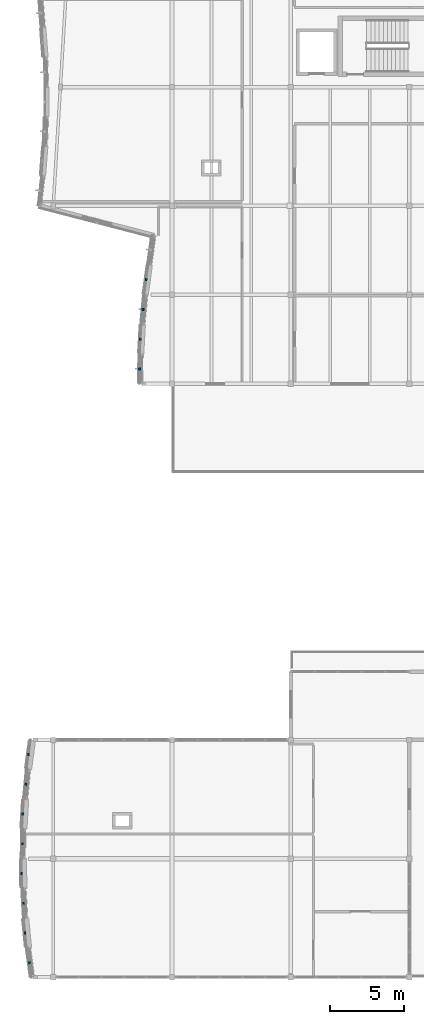
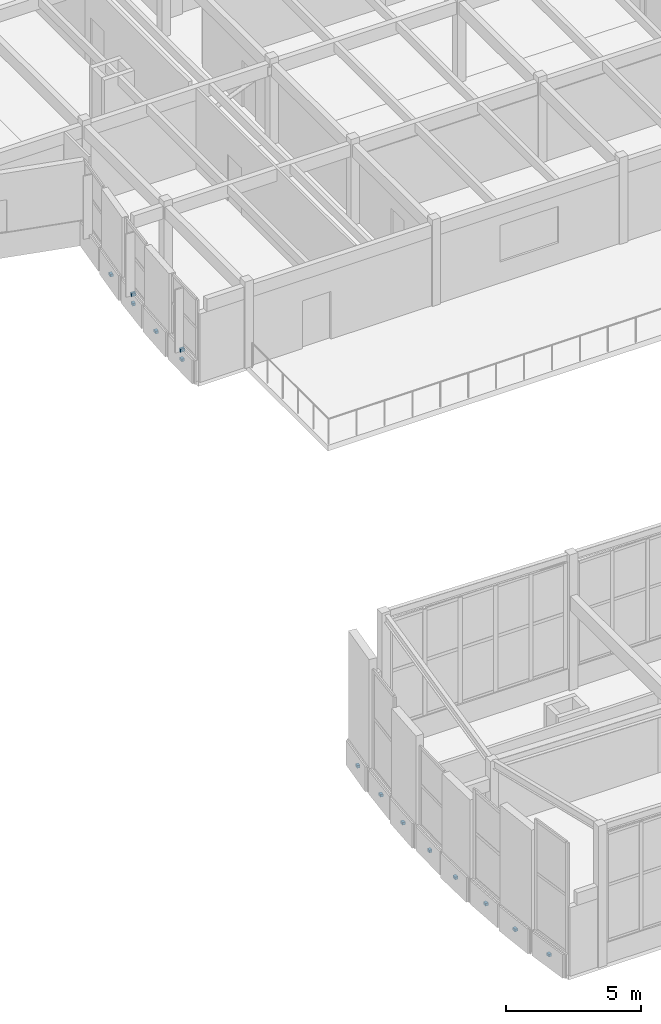
# One storey, part 45 of 63: 14 discrete accessories.
"""IFC4 building model written with IfcOpenShell, lengths in metres."""

from ifc_helpers import new_model, si_unit, direction, frame, origin, origin_2d, place, context, subcontext, project, spatial, rectangle, extrude, material, type_object, element, save


model = new_model("IFC4")

# Units and contexts
model_context = context("Model", 3, precision=1e-05, world=origin(), true_north=direction((0.0, 1.0)))
body_context = subcontext(model_context, "Body", "Model", "MODEL_VIEW")
ifc_project = project(units=[si_unit("LENGTHUNIT", "METRE"), si_unit("AREAUNIT", "SQUARE_METRE"), si_unit("VOLUMEUNIT", "CUBIC_METRE"), si_unit("PLANEANGLEUNIT", "RADIAN"), si_unit("MASSUNIT", "GRAM", prefix="KILO")], contexts=[model_context])

# Site, building, storey
site_placement = place(None, origin())
site = spatial("IfcSite", under=ifc_project, at=site_placement, CompositionType="ELEMENT")
building_placement = place(site_placement, origin())
building = spatial("IfcBuilding", under=site, at=building_placement, Name="Tonlespit Floodbar School", CompositionType="ELEMENT")
storey_placement = place(building_placement, frame((0.0, 0.0, 8.39990234375)))
storey = spatial("IfcBuildingStorey", under=building, at=storey_placement, Name="L02", CompositionType="ELEMENT", Elevation=8.39990234375)

# Discrete accessories
ifc_material = material(Name="Galvanised Steel", Category="steel")
discrete_accessory_type = type_object("IfcDiscreteAccessoryType", Name="Bracket_Facade_S355", PredefinedType="BRACKET", material=ifc_material)
discrete_accessory_1_placement = place(storey_placement, frame((9.8203125, 45.00244140625, 0.35498046875), z_axis=(0.0, 0.0, 1.0), x_axis=(0.01924630259, 0.999814772764, 0.0)))
element("IfcDiscreteAccessory", 1, at=discrete_accessory_1_placement, inside=storey, type_object=discrete_accessory_type, Name="L02 white band support bracket 0543", PredefinedType="BRACKET", context=body_context, shape_type="SweptSolid", body=[
    extrude(rectangle(XDim=0.159912109375, YDim=0.1201171875, at=origin_2d()), origin(), (0.0, 0.0, 1.0), 0.1201171875),
])
discrete_accessory_2_placement = place(storey_placement, frame((9.810302734375, 45.002685546875, 0.7802734375), z_axis=(0.0, 0.0, 1.0), x_axis=(0.01924630259, 0.999814772764, 0.0)))
element("IfcDiscreteAccessory", 2, at=discrete_accessory_2_placement, inside=storey, type_object=discrete_accessory_type, Name="Solar fin support bracket 152", PredefinedType="BRACKET", context=body_context, shape_type="SweptSolid", body=[
    extrude(rectangle(XDim=0.1201171875, YDim=0.179931640625, at=origin_2d()), origin(), (0.0, 0.0, 1.0), 0.139892578125),
])
for number, where, z_axis, x_axis, name in (
    (3, (9.867431640625, 47.00927734375, 0.380126953125), (0.0, 0.0, 1.0), (0.057703421212, 0.998333769428, 0.0), "L02 white band support bracket 0544"),
    (4, (10.05224609375, 49.012451171875, 0.35498046875), (0.0, 0.0, 1.0), (0.096153248998, 0.995366541887, 0.0), "L02 white band support bracket 0545"),
):
    element("IfcDiscreteAccessory", number, at=place(storey_placement, frame(where, z_axis=z_axis, x_axis=x_axis)), inside=storey, type_object=discrete_accessory_type, Name=name, PredefinedType="BRACKET", context=body_context, shape_type="SweptSolid", body=[
        extrude(rectangle(XDim=0.159912109375, YDim=0.1201171875, at=origin_2d()), origin(), (0.0, 0.0, 1.0), 0.1201171875),
    ])
discrete_accessory_3_placement = place(storey_placement, frame((10.042236328125, 49.013427734375, 0.7802734375), z_axis=(0.0, 0.0, 1.0), x_axis=(0.096153248998, 0.995366541887, 0.0)))
element("IfcDiscreteAccessory", 5, at=discrete_accessory_3_placement, inside=storey, type_object=discrete_accessory_type, Name="Solar fin support bracket 153", PredefinedType="BRACKET", context=body_context, shape_type="SweptSolid", body=[
    extrude(rectangle(XDim=0.1201171875, YDim=0.179931640625, at=origin_2d()), origin(), (0.0, 0.0, 1.0), 0.139892578125),
])
for number, where, z_axis, x_axis, name in (
    (6, (10.255615234375, 51.021484375, 0.380126953125), (0.0, 0.0, 1.0), (0.134662424626, 0.990891533617, 0.0), "L02 white band support bracket 0546"),
    (7, (2.38525390625, 4.982421875, 0.35498046875), (0.0, 0.0, 1.0), (-0.134662424626, 0.990891533617, 0.0), "L02 white band support bracket 0774"),
    (8, (2.092529296875, 6.981689453125, 0.380126953125), (0.0, 0.0, 1.0), (-0.096153248998, 0.995366541887, 0.0), "L02 white band support bracket 0775"),
    (9, (1.997314453125, 8.992431640625, 0.35498046875), (0.0, 0.0, 1.0), (-0.057703421212, 0.998333769428, 0.0), "L02 white band support bracket 0776"),
    (10, (1.860107421875, 10.996337890625, 0.380126953125), (0.0, 0.0, 1.0), (-0.01924630259, 0.999814772764, 0.0), "L02 white band support bracket 0777"),
    (11, (1.920166015625, 13.00244140625, 0.35498046875), (0.0, 0.0, 1.0), (0.01924630259, 0.999814772764, 0.0), "L02 white band support bracket 0778"),
    (12, (1.9375, 15.010986328125, 0.380126953125), (0.0, 0.0, 1.0), (0.057703421212, 0.998333769428, 0.0), "L02 white band support bracket 0779"),
    (13, (2.152099609375, 17.012451171875, 0.35498046875), (0.0, 0.0, 1.0), (0.096153248998, 0.995366541887, 0.0), "L02 white band support bracket 0780"),
    (14, (2.32568359375, 19.025634765625, 0.380126953125), (0.0, 0.0, 1.0), (0.134662424626, 0.990891533617, 0.0), "L02 white band support bracket 0781"),
):
    element("IfcDiscreteAccessory", number, at=place(storey_placement, frame(where, z_axis=z_axis, x_axis=x_axis)), inside=storey, type_object=discrete_accessory_type, Name=name, PredefinedType="BRACKET", context=body_context, shape_type="SweptSolid", body=[
        extrude(rectangle(XDim=0.159912109375, YDim=0.1201171875, at=origin_2d()), origin(), (0.0, 0.0, 1.0), 0.1201171875),
    ])

save(model, "model.ifc")
